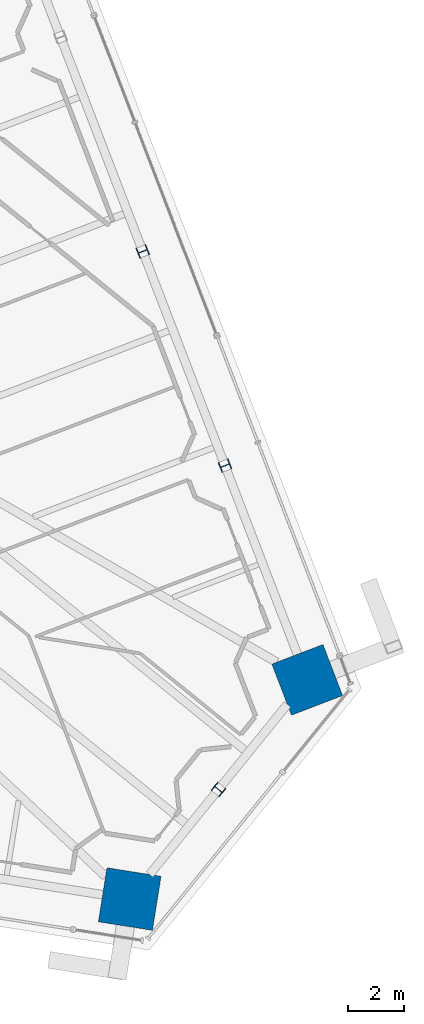
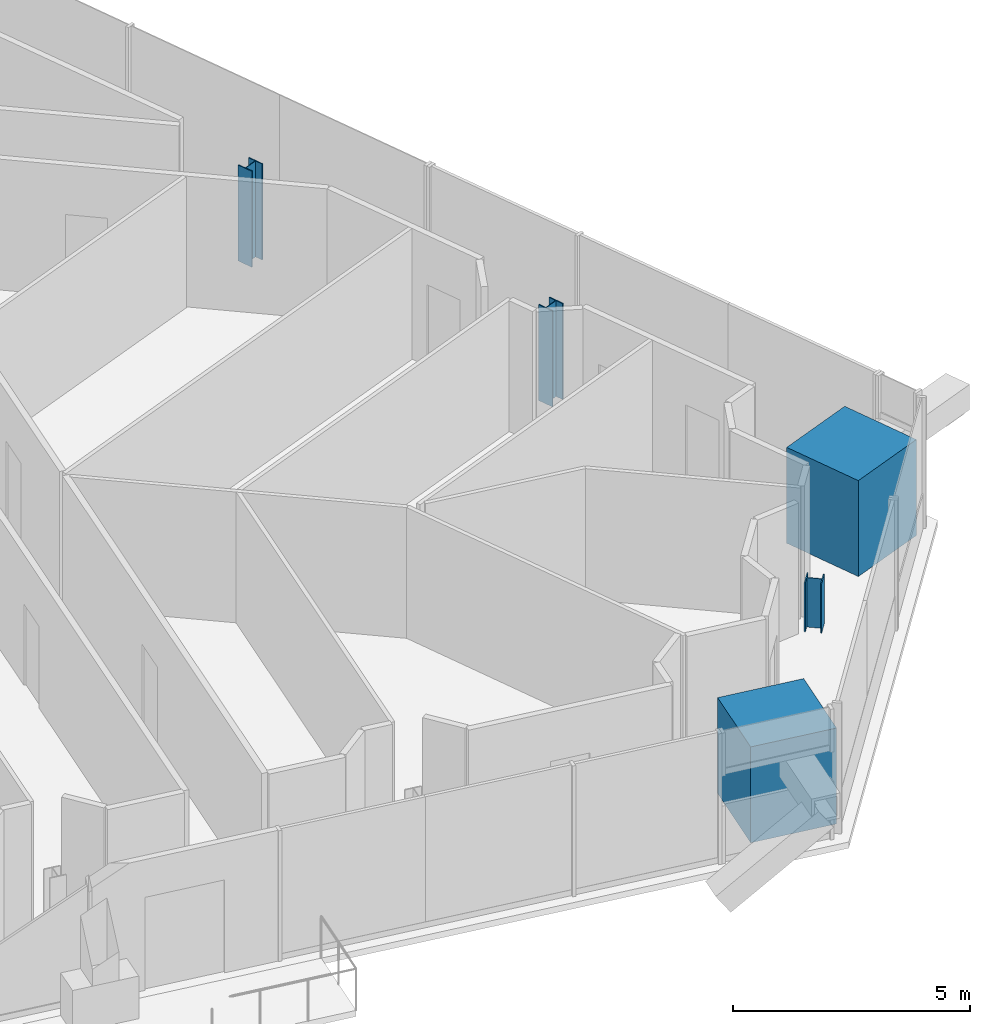
# One storey, part 2 of 23: 5 columns.
"""IFC4 building model written with IfcOpenShell, lengths in metres."""

from ifc_helpers import new_model, si_unit, direction, frame, origin, origin_2d, place, context, subcontext, project, spatial, rectangle, i_section, extrude, source, transform, mapped, material, material_profile, profile_set, type_object, element, save


model = new_model("IFC4")

# Units and contexts
model_context = context("Model", 3, precision=1e-05, world=origin(), true_north=direction((0.0, 1.0)))
body_context = subcontext(model_context, "Body", "Model", "MODEL_VIEW")
ifc_project = project(units=[si_unit("LENGTHUNIT", "METRE"), si_unit("AREAUNIT", "SQUARE_METRE"), si_unit("VOLUMEUNIT", "CUBIC_METRE"), si_unit("PLANEANGLEUNIT", "RADIAN"), si_unit("MASSUNIT", "GRAM", prefix="KILO")], contexts=[model_context])

# Site, building, storey
site_placement = place(None, origin())
site = spatial("IfcSite", under=ifc_project, at=site_placement, CompositionType="ELEMENT")
building_placement = place(site_placement, origin())
building = spatial("IfcBuilding", under=site, at=building_placement, Name="Triune Harvest Tower", CompositionType="ELEMENT")
storey_placement = place(building_placement, frame((0.0, 0.0, 171.300048828125)))
storey = spatial("IfcBuildingStorey", under=building, at=storey_placement, Name="L44", CompositionType="ELEMENT", Elevation=171.300048828125)

# Columns
ifc_material_1 = material(Name="Steel ASTM A992 Gr 50", Category="steel")
ifc_material_profile_1 = material_profile(ifc_material_1, i_section(OverallWidth=0.373291015625, OverallDepth=0.373291015625, WebThickness=0.016357421875, FlangeThickness=0.026123046875, at=origin_2d()), Name="W14x132")
ifc_profile_set_1 = profile_set([ifc_material_profile_1], Name="Steel ASTM A992 Gr 50")
column_type_1 = type_object("IfcColumnType", Name="PC-4 Perimeter column W14x132", PredefinedType="COLUMN", material=ifc_profile_set_1)
column_placement = place(storey_placement, frame((24.2626953125, -19.647705078125, 1.199951171875), z_axis=(0.0, 0.0, 1.0), x_axis=(0.629321747424, 0.777144863084, 0.0)))
element("IfcColumn", 1, at=column_placement, inside=storey, type_object=column_type_1, Name="col/L44/P23", PredefinedType="COLUMN", context=body_context, shape_type="SweptSolid", body=[
    extrude(i_section(OverallWidth=0.373291015625, OverallDepth=0.373291015625, WebThickness=0.016357421875, FlangeThickness=0.026123046875, at=origin_2d()), origin(), (0.0, 0.0, 1.0), 1.27490234375),
])
ifc_material_2 = material(Name="Concrete 70 MPa", Category="concrete")
ifc_material_profile_2 = material_profile(ifc_material_2, rectangle(XDim=1.949951171875, YDim=1.949951171875, at=origin_2d()), Name="Composite 1950x1950")
ifc_profile_set_2 = profile_set([ifc_material_profile_2], Name="Concrete 70 MPa")
column_type_2 = type_object("IfcColumnType", Name="MC-4 Mega column Composite 1950x1950", PredefinedType="COLUMN", material=ifc_profile_set_2)
shared_shape_1 = source(origin(), body_context, "Body", "SweptSolid", [
    extrude(rectangle(XDim=1.949951171875, YDim=1.949951171875, at=origin_2d()), origin(), (0.0, 0.0, 1.0), 2.474853515625),
])
for number, where, z_axis, x_axis, name in (
    (2, (27.425048828125, -15.742431640625, 0.0), (0.0, 0.0, 1.0), (-0.358367949545, 0.933580426497, 0.0), "col/L44/M0"),
    (3, (21.100341796875, -23.552734375, 0.0), (0.0, 0.0, 1.0), (0.987688340595, -0.15643446504, 0.0), "col/L44/M22"),
):
    element("IfcColumn", number, at=place(storey_placement, frame(where, z_axis=z_axis, x_axis=x_axis)), inside=storey, type_object=column_type_2, Name=name, PredefinedType="COLUMN", context=body_context, shape_type="MappedRepresentation", body=[
        mapped(shared_shape_1, transform((0.0, 0.0, 0.0), scale=1.0)),
    ])
shared_shape_2 = source(origin(), body_context, "Body", "SweptSolid", [
    extrude(i_section(OverallWidth=0.373291015625, OverallDepth=0.373291015625, WebThickness=0.016357421875, FlangeThickness=0.026123046875, at=origin_2d()), origin(), (0.0, 0.0, 1.0), 2.474853515625),
])
for number, where, z_axis, x_axis, name in (
    (4, (24.495361328125, -8.1103515625, 0.0), (0.0, 0.0, 1.0), (-0.358367949545, 0.933580426497, 0.0), "col/L44/P1"),
    (5, (21.565673828125, -0.478271484375, 0.0), (0.0, 0.0, 1.0), (-0.358367949545, 0.933580426497, 0.0), "col/L44/P2"),
):
    element("IfcColumn", number, at=place(storey_placement, frame(where, z_axis=z_axis, x_axis=x_axis)), inside=storey, type_object=column_type_1, Name=name, PredefinedType="COLUMN", context=body_context, shape_type="MappedRepresentation", body=[
        mapped(shared_shape_2, transform((0.0, 0.0, 0.0), scale=1.0)),
    ])

save(model, "model.ifc")
